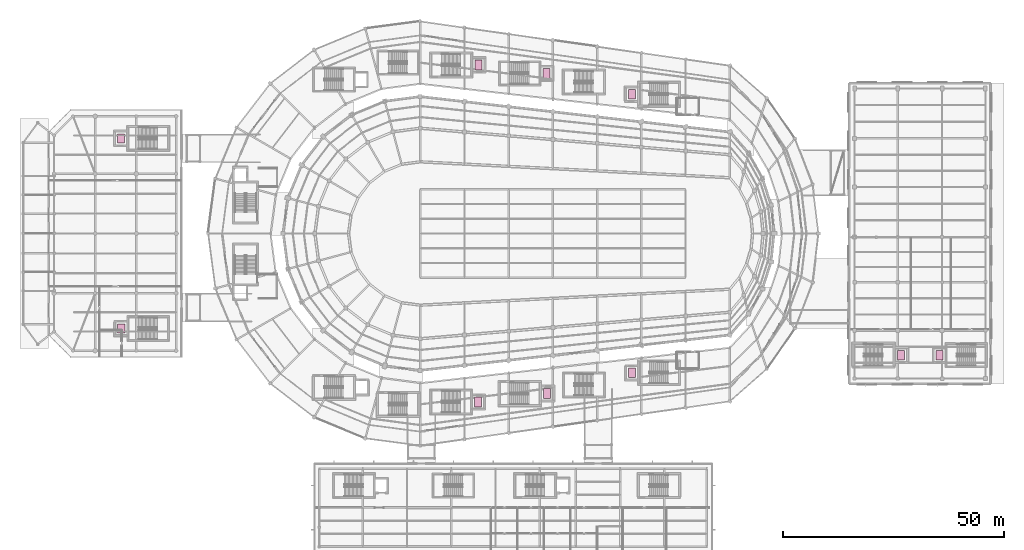
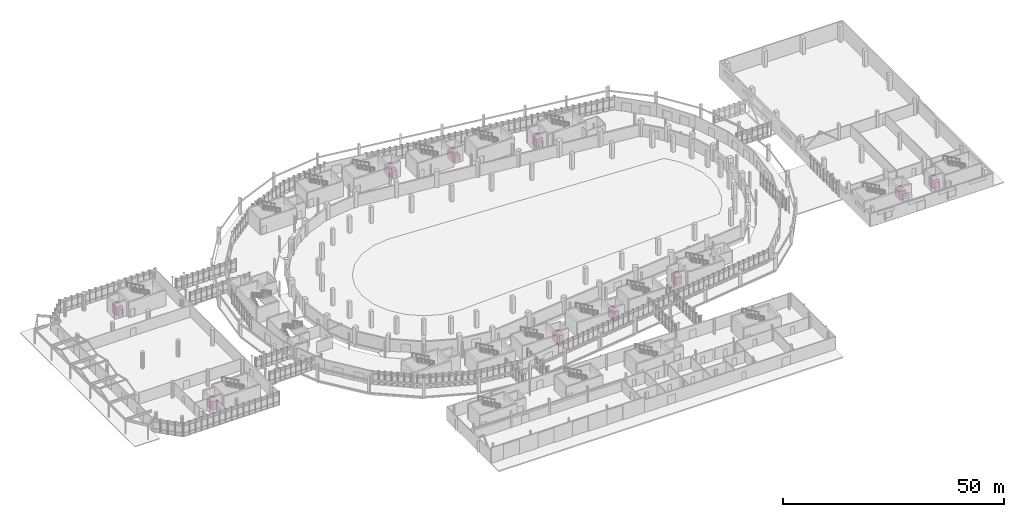
# One storey, part 122 of 122: 10 transport elements.
"""IFC4 building model written with IfcOpenShell, lengths in metres."""

from ifc_helpers import new_model, si_unit, direction, frame, origin, origin_2d, place, context, subcontext, project, spatial, rectangle, extrude, material, type_object, element, save


model = new_model("IFC4")

# Units and contexts
model_context = context("Model", 3, precision=1e-05, world=origin(), true_north=direction((0.0, 1.0)))
body_context = subcontext(model_context, "Body", "Model", "MODEL_VIEW")
ifc_project = project(units=[si_unit("LENGTHUNIT", "METRE"), si_unit("AREAUNIT", "SQUARE_METRE"), si_unit("VOLUMEUNIT", "CUBIC_METRE"), si_unit("PLANEANGLEUNIT", "RADIAN"), si_unit("MASSUNIT", "GRAM", prefix="KILO")], contexts=[model_context])

# Site, building, storey
site_placement = place(None, origin())
site = spatial("IfcSite", under=ifc_project, at=site_placement, CompositionType="ELEMENT")
building_placement = place(site_placement, origin())
building = spatial("IfcBuilding", under=site, at=building_placement, Name="Sohan Crest Arena", CompositionType="ELEMENT")
storey_placement = place(building_placement, origin())
storey = spatial("IfcBuildingStorey", under=building, at=storey_placement, Name="L00", CompositionType="ELEMENT", Elevation=0.0)

# Transport elements
ifc_material = material(Name="Brushed stainless steel lift car", Category="steel")
transport_element_type_1 = type_object("IfcTransportElementType", Name="LFT-PAX1", PredefinedType="ELEVATOR", material=ifc_material)
for number, where, z_axis, x_axis, name in (
    (1, (111.10009765625, 39.89990234375, 0.0), (0.0, 0.0, 1.0), (1.0, 0.0, 0.0), "Passenger lift LP03"),
    (2, (111.14990234375, 116.10009765625, 0.0), (0.0, 0.0, 1.0), (1.0, 0.0, 0.0), "Passenger lift LP04"),
    (3, (126.699951171875, 41.800048828125, 0.0), (0.0, 0.0, 1.0), (1.0, 0.0, 0.0), "Passenger lift LP05"),
    (4, (126.550048828125, 114.199951171875, 0.0), (0.0, 0.0, 1.0), (1.0, 0.0, 0.0), "Passenger lift LP06"),
    (5, (145.89990234375, 46.5, 0.0), (0.0, 0.0, 1.0), (1.0, 0.0, 0.0), "Passenger lift LP07"),
    (6, (145.85009765625, 109.5, 0.0), (0.0, 0.0, 1.0), (1.0, 0.0, 0.0), "Passenger lift LP08"),
):
    element("IfcTransportElement", number, at=place(storey_placement, frame(where, z_axis=z_axis, x_axis=x_axis)), inside=storey, type_object=transport_element_type_1, Name=name, PredefinedType="ELEVATOR", context=body_context, shape_type="SweptSolid", body=[
        extrude(rectangle(XDim=1.60009765625, YDim=2.199951171875, at=origin_2d()), origin(), (0.0, 0.0, 1.0), 2.39990234375),
    ])
transport_element_type_2 = type_object("IfcTransportElementType", Name="LFT-PAX2", PredefinedType="ELEVATOR", material=ifc_material)
for number, where, z_axis, x_axis, name in (
    (7, (30.39990234375, 56.5, 0.0), (0.0, 0.0, 1.0), (1.0, 0.0, 0.0), "Passenger lift LP09"),
    (8, (30.35009765625, 99.5, 0.0), (0.0, 0.0, 1.0), (1.0, 0.0, 0.0), "Passenger lift LP10"),
    (9, (206.699951171875, 50.5, 0.0), (0.0, 0.0, 1.0), (1.0, 0.0, 0.0), "Passenger lift LP11"),
    (10, (215.449951171875, 50.5, 0.0), (0.0, 0.0, 1.0), (1.0, 0.0, 0.0), "Passenger lift LP12"),
):
    element("IfcTransportElement", number, at=place(storey_placement, frame(where, z_axis=z_axis, x_axis=x_axis)), inside=storey, type_object=transport_element_type_2, Name=name, PredefinedType="ELEVATOR", context=body_context, shape_type="SweptSolid", body=[
        extrude(rectangle(XDim=1.60009765625, YDim=2.10009765625, at=origin_2d()), origin(), (0.0, 0.0, 1.0), 2.39990234375),
    ])

save(model, "model.ifc")
